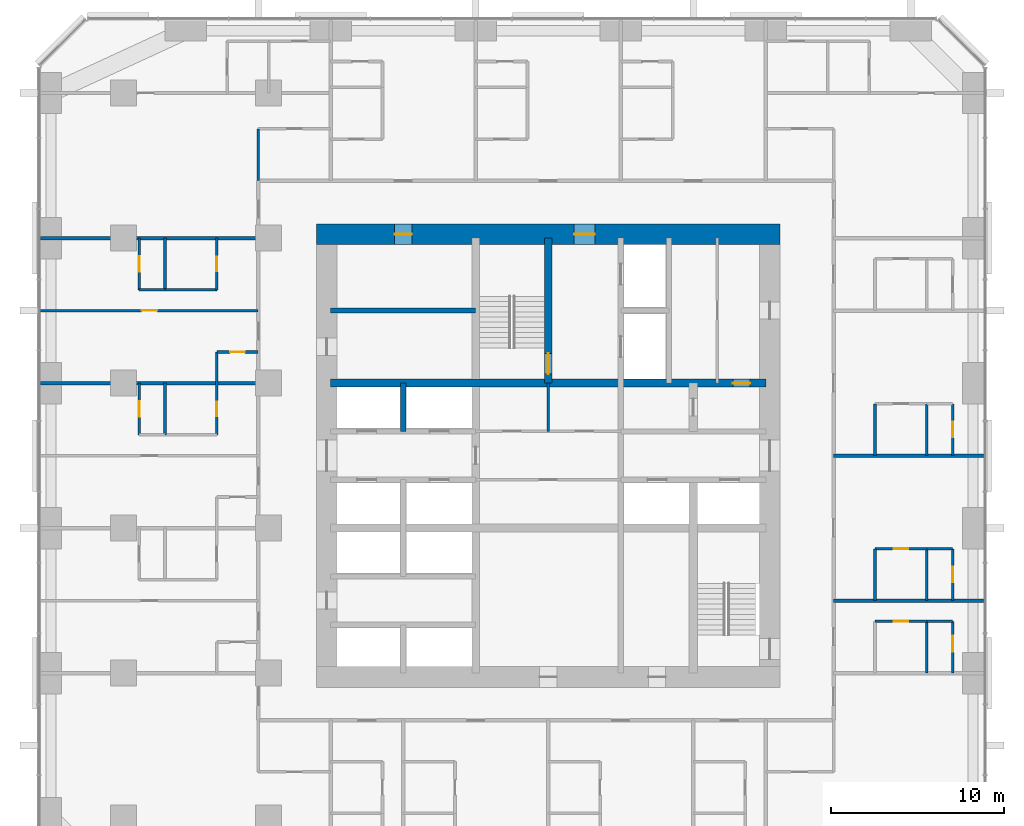
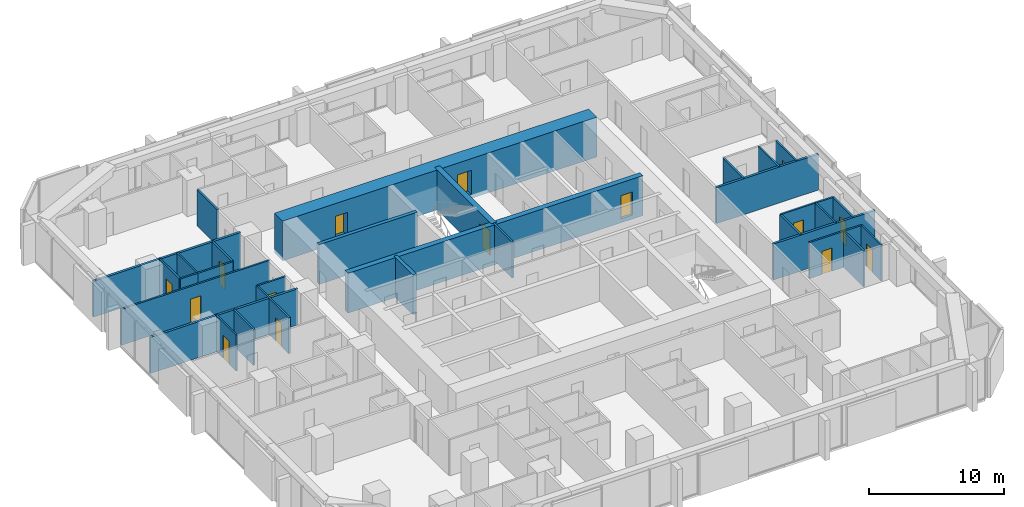
# One storey, part 11 of 14: 33 walls, 15 doors, 15 openings.
"""IFC4 building model written with IfcOpenShell, lengths in metres."""

from ifc_helpers import new_model, si_unit, direction, frame, frame_2d, origin, place, context, subcontext, project, spatial, rectangle, extrude, material, layer, layer_set, type_object, element, fill, save


model = new_model("IFC4")

# Units and contexts
model_context = context("Model", 3, precision=1e-05, world=origin(), true_north=direction((0.0, 1.0)))
body_context = subcontext(model_context, "Body", "Model", "MODEL_VIEW")
ifc_project = project(units=[si_unit("LENGTHUNIT", "METRE"), si_unit("AREAUNIT", "SQUARE_METRE"), si_unit("VOLUMEUNIT", "CUBIC_METRE"), si_unit("PLANEANGLEUNIT", "RADIAN"), si_unit("MASSUNIT", "GRAM", prefix="KILO")], contexts=[model_context])

# Site, building, storey
site_placement = place(None, origin())
site = spatial("IfcSite", under=ifc_project, at=site_placement, CompositionType="ELEMENT")
building_placement = place(site_placement, origin())
building = spatial("IfcBuilding", under=site, at=building_placement, Name="Dunama Terrace Hotel", CompositionType="ELEMENT")
storey_placement = place(building_placement, frame((0.0, 0.0, 108.0)))
storey = spatial("IfcBuildingStorey", under=building, at=storey_placement, Name="L27", CompositionType="ELEMENT", Elevation=108.0)

# Wall, opening, door
ifc_material_1 = material(Name="Gypsum board partition", Category="masonry")
ifc_layer_1 = layer(ifc_material_1, 0.14990234375)
ifc_layer_set_1 = layer_set([ifc_layer_1], Name="Bathroom partition 150")
wall_type_1 = type_object("IfcWallType", Name="Bathroom partition 150", PredefinedType="PARTITIONING", material=ifc_layer_set_1)
wall_1_placement = place(storey_placement, frame((10.199951171875, 30.60009765625, 0.0), z_axis=(0.0, 0.0, 1.0), x_axis=(0.0, 1.0, 0.0)))
wall_1 = element("IfcWall", 1, at=wall_1_placement, inside=storey, type_object=wall_type_1, Name="Bathroom partition 150 L27", PredefinedType="PARTITIONING", context=body_context, shape_type="SweptSolid", body=[
    extrude(rectangle(XDim=4.7998046875, YDim=0.14990234375, at=frame_2d((2.39990234375, 0.0))), origin(), (0.0, 0.0, 1.0), 3.25),
])
opening_1_placement = place(wall_1_placement, frame((1.074951171875, 0.0, 0.0)))
opening_1 = element("IfcOpeningElement", 2, at=opening_1_placement, cuts=wall_1, Name="Opening L25-27-052", PredefinedType="OPENING", context=body_context, shape_type="SweptSolid", body=[
    extrude(rectangle(XDim=0.85009765625, YDim=2.10009765625, at=frame_2d((0.425048828125, 1.050048828125))), frame((0.0, 0.0849609375, 0.0), z_axis=(0.0, -1.0, 0.0), x_axis=(1.0, 0.0, 0.0)), (0.0, 0.0, 1.0), 0.169921875),
])
ifc_material_2 = material(Name="Timber door with steel frame", Category="steel")
door_type_1 = type_object("IfcDoorType", Name="Bathroom door 850", OperationType="SINGLE_SWING_LEFT", PredefinedType="DOOR", material=ifc_material_2)
door_1_placement = place(opening_1_placement, origin())
door_1 = element("IfcDoor", 3, at=door_1_placement, inside=storey, type_object=door_type_1, Name="Door to en-suite bathroom L25-27-052, type D2", OperationType="SINGLE_SWING_RIGHT", OverallHeight=2.10009765625, OverallWidth=0.85009765625, PredefinedType="DOOR", context=body_context, shape_type="SweptSolid", body=[
    extrude(rectangle(XDim=0.85009765625, YDim=2.10009765625, at=frame_2d((0.425048828125, 1.050048828125))), frame((0.0, 0.02490234375, 0.0), z_axis=(0.0, -1.0, 0.0), x_axis=(1.0, 0.0, 0.0)), (0.0, 0.0, 1.0), 0.050048828125),
])
fill(opening_1, door_1)

wall_2_placement = place(storey_placement, frame((10.199951171875, 39.0, 0.0), z_axis=(0.0, 0.0, 1.0), x_axis=(0.0, 1.0, 0.0)))
wall_2 = element("IfcWall", 4, at=wall_2_placement, inside=storey, type_object=wall_type_1, Name="Bathroom partition 150 L27", PredefinedType="PARTITIONING", context=body_context, shape_type="SweptSolid", body=[
    extrude(rectangle(XDim=3.0, YDim=0.14990234375, at=frame_2d((1.5, 0.0))), origin(), (0.0, 0.0, 1.0), 3.25),
])
opening_2_placement = place(wall_2_placement, frame((1.074951171875, 0.0, 0.0)))
opening_2 = element("IfcOpeningElement", 5, at=opening_2_placement, cuts=wall_2, Name="Opening L25-27-057", PredefinedType="OPENING", context=body_context, shape_type="SweptSolid", body=[
    extrude(rectangle(XDim=0.85009765625, YDim=2.10009765625, at=frame_2d((0.425048828125, 1.050048828125))), frame((0.0, 0.0849609375, 0.0), z_axis=(0.0, -1.0, 0.0), x_axis=(1.0, 0.0, 0.0)), (0.0, 0.0, 1.0), 0.169921875),
])
door_2_placement = place(opening_2_placement, origin())
door_2 = element("IfcDoor", 6, at=door_2_placement, inside=storey, type_object=door_type_1, Name="Door to en-suite bathroom L25-27-057, type D2", OperationType="SINGLE_SWING_RIGHT", OverallHeight=2.10009765625, OverallWidth=0.85009765625, PredefinedType="DOOR", context=body_context, shape_type="SweptSolid", body=[
    extrude(rectangle(XDim=0.85009765625, YDim=2.10009765625, at=frame_2d((0.425048828125, 1.050048828125))), frame((0.0, 0.02490234375, 0.0), z_axis=(0.0, -1.0, 0.0), x_axis=(1.0, 0.0, 0.0)), (0.0, 0.0, 1.0), 0.050048828125),
])
fill(opening_2, door_2)

# Walls
for number, where, z_axis, x_axis, name in (
    (7, (12.60009765625, 45.324951171875, 0.0), (0.0, 0.0, 1.0), (0.0, 1.0, 0.0), "Bathroom partition 150 L27"),
    (8, (48.324951171875, 21.0, 0.0), (0.0, 0.0, 1.0), (0.0, 1.0, 0.0), "Bathroom partition 150 L27"),
    (9, (48.324951171875, 29.39990234375, 0.0), (0.0, 0.0, 1.0), (0.0, 1.0, 0.0), "Bathroom partition 150 L27"),
):
    element("IfcWall", number, at=place(storey_placement, frame(where, z_axis=z_axis, x_axis=x_axis)), inside=storey, type_object=wall_type_1, Name=name, PredefinedType="PARTITIONING", context=body_context, shape_type="SweptSolid", body=[
        extrude(rectangle(XDim=3.0, YDim=0.14990234375, at=frame_2d((1.5, 0.0))), origin(), (0.0, 0.0, 1.0), 3.25),
    ])

# Wall, opening, door
wall_3_placement = place(storey_placement, frame((48.324951171875, 19.800048828125, 0.0), z_axis=(0.0, 0.0, 1.0), x_axis=(1.0, 0.0, 0.0)))
wall_3 = element("IfcWall", 10, at=wall_3_placement, inside=storey, type_object=wall_type_1, Name="Bathroom partition 150 L27", PredefinedType="PARTITIONING", context=body_context, shape_type="SweptSolid", body=[
    extrude(rectangle(XDim=3.0, YDim=0.14990234375, at=frame_2d((1.5, 0.0))), origin(), (0.0, 0.0, 1.0), 3.25),
])
opening_3_placement = place(wall_3_placement, frame((1.074951171875, 0.0, 0.0)))
opening_3 = element("IfcOpeningElement", 11, at=opening_3_placement, cuts=wall_3, Name="Opening L25-27-024", PredefinedType="OPENING", context=body_context, shape_type="SweptSolid", body=[
    extrude(rectangle(XDim=0.85009765625, YDim=2.10009765625, at=frame_2d((0.425048828125, 1.050048828125))), frame((0.0, 0.0849609375, 0.0), z_axis=(0.0, -1.0, 0.0), x_axis=(1.0, 0.0, 0.0)), (0.0, 0.0, 1.0), 0.169921875),
])
door_3_placement = place(opening_3_placement, frame((0.85009765625, 0.0, 0.0), z_axis=(0.0, 0.0, 1.0), x_axis=(-1.0, 0.0, 0.0)))
door_3 = element("IfcDoor", 12, at=door_3_placement, inside=storey, type_object=door_type_1, Name="Door to en-suite bathroom L25-27-024, type D2", OperationType="SINGLE_SWING_LEFT", OverallHeight=2.10009765625, OverallWidth=0.85009765625, PredefinedType="DOOR", context=body_context, shape_type="SweptSolid", body=[
    extrude(rectangle(XDim=0.85009765625, YDim=2.10009765625, at=frame_2d((0.425048828125, 1.050048828125))), frame((0.0, 0.025146484375, 0.0), z_axis=(0.0, -1.0, 0.0), x_axis=(1.0, 0.0, 0.0)), (0.0, 0.0, 1.0), 0.050048828125),
])
fill(opening_3, door_3)

wall_4_placement = place(storey_placement, frame((48.324951171875, 24.0, 0.0), z_axis=(0.0, 0.0, 1.0), x_axis=(1.0, 0.0, 0.0)))
wall_4 = element("IfcWall", 13, at=wall_4_placement, inside=storey, type_object=wall_type_1, Name="Bathroom partition 150 L27", PredefinedType="PARTITIONING", context=body_context, shape_type="SweptSolid", body=[
    extrude(rectangle(XDim=3.0, YDim=0.14990234375, at=frame_2d((1.5, 0.0))), origin(), (0.0, 0.0, 1.0), 3.25),
])
opening_4_placement = place(wall_4_placement, frame((1.074951171875, 0.0, 0.0)))
opening_4 = element("IfcOpeningElement", 14, at=opening_4_placement, cuts=wall_4, Name="Opening L25-27-027", PredefinedType="OPENING", context=body_context, shape_type="SweptSolid", body=[
    extrude(rectangle(XDim=0.85009765625, YDim=2.10009765625, at=frame_2d((0.425048828125, 1.050048828125))), frame((0.0, 0.0849609375, 0.0), z_axis=(0.0, -1.0, 0.0), x_axis=(1.0, 0.0, 0.0)), (0.0, 0.0, 1.0), 0.169921875),
])
door_4_placement = place(opening_4_placement, frame((0.85009765625, 0.0, 0.0), z_axis=(0.0, 0.0, 1.0), x_axis=(-1.0, 0.0, 0.0)))
door_4 = element("IfcDoor", 15, at=door_4_placement, inside=storey, type_object=door_type_1, Name="Door to en-suite bathroom L25-27-027, type D2", OperationType="SINGLE_SWING_LEFT", OverallHeight=2.10009765625, OverallWidth=0.85009765625, PredefinedType="DOOR", context=body_context, shape_type="SweptSolid", body=[
    extrude(rectangle(XDim=0.85009765625, YDim=2.10009765625, at=frame_2d((0.425048828125, 1.050048828125))), frame((0.0, 0.025146484375, 0.0), z_axis=(0.0, -1.0, 0.0), x_axis=(1.0, 0.0, 0.0)), (0.0, 0.0, 1.0), 0.050048828125),
])
fill(opening_4, door_4)

wall_5_placement = place(storey_placement, frame((10.199951171875, 35.39990234375, 0.0), z_axis=(0.0, 0.0, 1.0), x_axis=(1.0, 0.0, 0.0)))
wall_5 = element("IfcWall", 16, at=wall_5_placement, inside=storey, type_object=wall_type_1, Name="Bathroom partition 150 L27", PredefinedType="PARTITIONING", context=body_context, shape_type="SweptSolid", body=[
    extrude(rectangle(XDim=2.400146484375, YDim=0.14990234375, at=frame_2d((1.2001953125, 0.0))), origin(), (0.0, 0.0, 1.0), 3.25),
])
opening_5_placement = place(wall_5_placement, frame((0.77490234375, 0.0, 0.0)))
opening_5 = element("IfcOpeningElement", 17, at=opening_5_placement, cuts=wall_5, Name="Opening L25-27-055", PredefinedType="OPENING", context=body_context, shape_type="SweptSolid", body=[
    extrude(rectangle(XDim=0.85009765625, YDim=2.10009765625, at=frame_2d((0.425048828125, 1.050048828125))), frame((0.0, 0.0849609375, 0.0), z_axis=(0.0, -1.0, 0.0), x_axis=(1.0, 0.0, 0.0)), (0.0, 0.0, 1.0), 0.169921875),
])
door_5_placement = place(opening_5_placement, frame((0.85009765625, 0.0, 0.0), z_axis=(0.0, 0.0, 1.0), x_axis=(-1.0, 0.0, 0.0)))
door_5 = element("IfcDoor", 18, at=door_5_placement, inside=storey, type_object=door_type_1, Name="Door to powder room L25-27-055, type D2", OperationType="SINGLE_SWING_LEFT", OverallHeight=2.10009765625, OverallWidth=0.85009765625, PredefinedType="DOOR", context=body_context, shape_type="SweptSolid", body=[
    extrude(rectangle(XDim=0.85009765625, YDim=2.10009765625, at=frame_2d((0.425048828125, 1.050048828125))), frame((0.0, 0.025146484375, 0.0), z_axis=(0.0, -1.0, 0.0), x_axis=(1.0, 0.0, 0.0)), (0.0, 0.0, 1.0), 0.050048828125),
])
fill(opening_5, door_5)

# Walls
wall_6_placement = place(storey_placement, frame((7.199951171875, 39.0, 0.0), z_axis=(0.0, 0.0, 1.0), x_axis=(1.0, 0.0, 0.0)))
element("IfcWall", 19, at=wall_6_placement, inside=storey, type_object=wall_type_1, Name="Bathroom partition 150 L27", PredefinedType="PARTITIONING", context=body_context, shape_type="SweptSolid", body=[
    extrude(rectangle(XDim=3.0, YDim=0.14990234375, at=frame_2d((1.5, 0.0))), origin(), (0.0, 0.0, 1.0), 3.25),
])
ifc_material_3 = material(Name="Concrete C50/60", Category="concrete")
ifc_layer_2 = layer(ifc_material_3, 0.300048828125)
ifc_layer_set_2 = layer_set([ifc_layer_2], Name="Core inner wall 300")
wall_type_2 = type_object("IfcWallType", Name="Core inner wall 300", PredefinedType="SHEAR", material=ifc_layer_set_2)
wall_7_placement = place(storey_placement, frame((21.0, 30.800048828125, -0.35009765625), z_axis=(0.0, 0.0, 1.0), x_axis=(0.0, 1.0, 0.0)))
element("IfcWall", 20, at=wall_7_placement, inside=storey, type_object=wall_type_2, Name="Core inner wall 300 L27", PredefinedType="SHEAR", context=body_context, shape_type="SweptSolid", body=[
    extrude(rectangle(XDim=2.800048828125, YDim=0.300048828125, at=frame_2d((1.39990234375, 0.0))), origin(), (0.0, 0.0, 1.0), 3.60009765625),
])
wall_8_placement = place(storey_placement, frame((16.800048828125, 37.800048828125, -0.35009765625), z_axis=(0.0, 0.0, 1.0), x_axis=(1.0, 0.0, 0.0)))
element("IfcWall", 21, at=wall_8_placement, inside=storey, type_object=wall_type_2, Name="Core inner wall 300 L27", PredefinedType="SHEAR", context=body_context, shape_type="SweptSolid", body=[
    extrude(rectangle(XDim=8.39990234375, YDim=0.300048828125, at=frame_2d((4.199951171875, 0.0))), origin(), (0.0, 0.0, 1.0), 3.60009765625),
])

# Wall, opening, door
ifc_material_4 = material(Name="Concrete C50/60", Category="concrete")
ifc_layer_3 = layer(ifc_material_4, 0.449951171875)
ifc_layer_set_3 = layer_set([ifc_layer_3], Name="Core inner wall 450")
wall_type_3 = type_object("IfcWallType", Name="Core inner wall 450", PredefinedType="SHEAR", material=ifc_layer_set_3)
wall_9_placement = place(storey_placement, frame((29.39990234375, 33.60009765625, -0.35009765625), z_axis=(0.0, 0.0, 1.0), x_axis=(0.0, 1.0, 0.0)))
wall_9 = element("IfcWall", 22, at=wall_9_placement, inside=storey, type_object=wall_type_3, Name="Core inner wall 450 L27", PredefinedType="SHEAR", context=body_context, shape_type="SweptSolid", body=[
    extrude(rectangle(XDim=8.39990234375, YDim=0.449951171875, at=frame_2d((4.199951171875, 0.0))), origin(), (0.0, 0.0, 1.0), 3.60009765625),
])
opening_6_placement = place(wall_9_placement, frame((0.52490234375, 0.0, 0.35009765625)))
opening_6 = element("IfcOpeningElement", 23, at=opening_6_placement, cuts=wall_9, Name="Opening L25-27-001", PredefinedType="OPENING", context=body_context, shape_type="SweptSolid", body=[
    extrude(rectangle(XDim=1.199951171875, YDim=2.199951171875, at=frame_2d((0.60009765625, 1.10009765625))), frame((0.0, 0.23486328125, 0.0), z_axis=(0.0, -1.0, 0.0), x_axis=(1.0, 0.0, 0.0)), (0.0, 0.0, 1.0), 0.469970703125),
])
ifc_material_5 = material(Name="Timber door with steel frame", Category="steel")
door_type_2 = type_object("IfcDoorType", Name="Stair door 1200", OperationType="SINGLE_SWING_LEFT", PredefinedType="DOOR", material=ifc_material_5)
door_6_placement = place(opening_6_placement, origin())
door_6 = element("IfcDoor", 24, at=door_6_placement, inside=storey, type_object=door_type_2, Name="Stair door ST1 L25-27-001, type D5", OperationType="SINGLE_SWING_LEFT", OverallHeight=2.199951171875, OverallWidth=1.199951171875, PredefinedType="DOOR", context=body_context, shape_type="SweptSolid", body=[
    extrude(rectangle(XDim=1.199951171875, YDim=2.199951171875, at=frame_2d((0.60009765625, 1.10009765625))), frame((0.0, 0.02490234375, 0.0), z_axis=(0.0, -1.0, 0.0), x_axis=(1.0, 0.0, 0.0)), (0.0, 0.0, 1.0), 0.050048828125),
])
fill(opening_6, door_6)

wall_10_placement = place(storey_placement, frame((16.800048828125, 33.60009765625, -0.35009765625), z_axis=(0.0, 0.0, 1.0), x_axis=(1.0, 0.0, 0.0)))
wall_10 = element("IfcWall", 25, at=wall_10_placement, inside=storey, type_object=wall_type_3, Name="Core inner wall 450 L27", PredefinedType="SHEAR", context=body_context, shape_type="SweptSolid", body=[
    extrude(rectangle(XDim=25.199951171875, YDim=0.449951171875, at=frame_2d((12.60009765625, 0.0))), origin(), (0.0, 0.0, 1.0), 3.60009765625),
])
opening_7_placement = place(wall_10_placement, frame((23.300048828125, 0.0, 0.35009765625)))
opening_7 = element("IfcOpeningElement", 26, at=opening_7_placement, cuts=wall_10, Name="Opening L25-27-088", PredefinedType="OPENING", context=body_context, shape_type="SweptSolid", body=[
    extrude(rectangle(XDim=1.0, YDim=2.10009765625, at=frame_2d((0.5, 1.050048828125))), frame((0.0, 0.23486328125, 0.0), z_axis=(0.0, -1.0, 0.0), x_axis=(1.0, 0.0, 0.0)), (0.0, 0.0, 1.0), 0.469970703125),
])
ifc_material_6 = material(Name="Timber door with steel frame", Category="steel")
door_type_3 = type_object("IfcDoorType", Name="Service door 1000", OperationType="SINGLE_SWING_LEFT", PredefinedType="DOOR", material=ifc_material_6)
door_7_placement = place(opening_7_placement, frame((1.0, 0.0, 0.0), z_axis=(0.0, 0.0, 1.0), x_axis=(-1.0, 0.0, 0.0)))
door_7 = element("IfcDoor", 27, at=door_7_placement, inside=storey, type_object=door_type_3, Name="Door to housekeeping and linen store L25-27-088, type D7", OperationType="SINGLE_SWING_LEFT", OverallHeight=2.10009765625, OverallWidth=1.0, PredefinedType="DOOR", context=body_context, shape_type="SweptSolid", body=[
    extrude(rectangle(XDim=1.0, YDim=2.10009765625, at=frame_2d((0.5, 1.050048828125))), frame((0.0, 0.025146484375, 0.0), z_axis=(0.0, -1.0, 0.0), x_axis=(1.0, 0.0, 0.0)), (0.0, 0.0, 1.0), 0.050048828125),
])
fill(opening_7, door_7)

# Wall, openings, doors
ifc_material_7 = material(Name="Concrete C60/75", Category="concrete")
ifc_layer_4 = layer(ifc_material_7, 1.199951171875)
ifc_layer_set_4 = layer_set([ifc_layer_4], Name="Core wall 1200")
wall_type_4 = type_object("IfcWallType", Name="Core wall 1200", PredefinedType="SHEAR", material=ifc_layer_set_4)
wall_11_placement = place(storey_placement, frame((42.824951171875, 42.22509765625, -0.35009765625), z_axis=(0.0, 0.0, 1.0), x_axis=(-1.0, 0.0, 0.0)))
wall_11 = element("IfcWall", 28, at=wall_11_placement, inside=storey, type_object=wall_type_4, Name="Core wall north L27", PredefinedType="SHEAR", context=body_context, shape_type="SweptSolid", body=[
    extrude(rectangle(XDim=26.849853515625, YDim=1.199951171875, at=frame_2d((13.4248046875, 0.0))), origin(), (0.0, 0.0, 1.0), 3.60009765625),
])
opening_8_placement = place(wall_11_placement, frame((21.324951171875, 0.0, 0.35009765625)))
opening_8 = element("IfcOpeningElement", 29, at=opening_8_placement, cuts=wall_11, Name="Opening L25-27-082", PredefinedType="OPENING", context=body_context, shape_type="SweptSolid", body=[
    extrude(rectangle(XDim=1.0, YDim=2.10009765625, at=frame_2d((0.5, 1.050048828125))), frame((0.0, 0.60986328125, 0.0), z_axis=(0.0, -1.0, 0.0), x_axis=(1.0, 0.0, 0.0)), (0.0, 0.0, 1.0), 1.219970703125),
])
opening_9_placement = place(wall_11_placement, frame((10.72509765625, 0.0, 0.35009765625)))
opening_9 = element("IfcOpeningElement", 30, at=opening_9_placement, cuts=wall_11, Name="Opening L25-27-090", PredefinedType="OPENING", context=body_context, shape_type="SweptSolid", body=[
    extrude(rectangle(XDim=1.199951171875, YDim=2.199951171875, at=frame_2d((0.60009765625, 1.10009765625))), frame((0.0, 0.60986328125, 0.0), z_axis=(0.0, -1.0, 0.0), x_axis=(1.0, 0.0, 0.0)), (0.0, 0.0, 1.0), 1.219970703125),
])
ifc_material_8 = material(Name="Timber door with steel frame", Category="steel")
door_type_4 = type_object("IfcDoorType", Name="Firefighting lobby door 1200", OperationType="SINGLE_SWING_LEFT", PredefinedType="DOOR", material=ifc_material_8)
door_8_placement = place(opening_9_placement, origin())
door_8 = element("IfcDoor", 31, at=door_8_placement, inside=storey, type_object=door_type_4, Name="Door to firefighting lobby L25-27-090, type D4", OperationType="SINGLE_SWING_RIGHT", OverallHeight=2.199951171875, OverallWidth=1.199951171875, PredefinedType="DOOR", context=body_context, shape_type="SweptSolid", body=[
    extrude(rectangle(XDim=1.199951171875, YDim=2.199951171875, at=frame_2d((0.60009765625, 1.10009765625))), frame((0.0, 0.02490234375, 0.0), z_axis=(0.0, -1.0, 0.0), x_axis=(1.0, 0.0, 0.0)), (0.0, 0.0, 1.0), 0.050048828125),
])
fill(opening_9, door_8)
door_9_placement = place(opening_8_placement, origin())
door_9 = element("IfcDoor", 32, at=door_9_placement, inside=storey, type_object=door_type_3, Name="Door to communications and riser room L25-27-082, type D7", OperationType="SINGLE_SWING_LEFT", OverallHeight=2.10009765625, OverallWidth=1.0, PredefinedType="DOOR", context=body_context, shape_type="SweptSolid", body=[
    extrude(rectangle(XDim=1.0, YDim=2.10009765625, at=frame_2d((0.5, 1.050048828125))), frame((0.0, 0.02490234375, 0.0), z_axis=(0.0, -1.0, 0.0), x_axis=(1.0, 0.0, 0.0)), (0.0, 0.0, 1.0), 0.050048828125),
])
fill(opening_8, door_9)

# Walls
ifc_material_9 = material(Name="Concrete blockwork", Category="masonry")
ifc_layer_5 = layer(ifc_material_9, 0.199951171875)
ifc_layer_set_5 = layer_set([ifc_layer_5], Name="Party wall 200")
wall_type_5 = type_object("IfcWallType", Name="Party wall 200", PredefinedType="PARTITIONING", material=ifc_layer_set_5)
for number, where, z_axis, x_axis, name in (
    (33, (45.925048828125, 21.0, 0.0), (0.0, 0.0, 1.0), (1.0, 0.0, 0.0), "Party wall 200 L27"),
    (34, (45.925048828125, 29.39990234375, 0.0), (0.0, 0.0, 1.0), (1.0, 0.0, 0.0), "Party wall 200 L27"),
):
    element("IfcWall", number, at=place(storey_placement, frame(where, z_axis=z_axis, x_axis=x_axis)), inside=storey, type_object=wall_type_5, Name=name, PredefinedType="PARTITIONING", context=body_context, shape_type="SweptSolid", body=[
        extrude(rectangle(XDim=8.69287109375, YDim=0.199951171875, at=frame_2d((4.346435546875, 0.0))), origin(), (0.0, 0.0, 1.0), 3.25),
    ])
for number, where, z_axis, x_axis, name in (
    (35, (-0.01806640625, 33.60009765625, 0.0), (0.0, 0.0, 1.0), (1.0, 0.0, 0.0), "Party wall 200 L27"),
    (36, (-0.01806640625, 42.0, 0.0), (0.0, 0.0, 1.0), (1.0, 0.0, 0.0), "Party wall 200 L27"),
):
    element("IfcWall", number, at=place(storey_placement, frame(where, z_axis=z_axis, x_axis=x_axis)), inside=storey, type_object=wall_type_5, Name=name, PredefinedType="PARTITIONING", context=body_context, shape_type="SweptSolid", body=[
        extrude(rectangle(XDim=12.6181640625, YDim=0.199951171875, at=frame_2d((6.30908203125, 0.0))), origin(), (0.0, 0.0, 1.0), 3.25),
    ])

# Wall, opening, door
ifc_material_10 = material(Name="Gypsum board partition", Category="masonry")
ifc_layer_6 = layer(ifc_material_10, 0.14990234375)
ifc_layer_set_6 = layer_set([ifc_layer_6], Name="Room partition 150")
wall_type_6 = type_object("IfcWallType", Name="Room partition 150", PredefinedType="PARTITIONING", material=ifc_layer_set_6)
wall_12_placement = place(storey_placement, frame((5.699951171875, 30.60009765625, 0.0), z_axis=(0.0, 0.0, 1.0), x_axis=(0.0, 1.0, 0.0)))
wall_12 = element("IfcWall", 37, at=wall_12_placement, inside=storey, type_object=wall_type_6, Name="Room partition 150 L27", PredefinedType="PARTITIONING", context=body_context, shape_type="SweptSolid", body=[
    extrude(rectangle(XDim=3.0, YDim=0.14990234375, at=frame_2d((1.5, 0.0))), origin(), (0.0, 0.0, 1.0), 3.25),
])
opening_10_placement = place(wall_12_placement, frame((1.050048828125, 0.0, 0.0)))
opening_10 = element("IfcOpeningElement", 38, at=opening_10_placement, cuts=wall_12, Name="Opening L25-27-053", PredefinedType="OPENING", context=body_context, shape_type="SweptSolid", body=[
    extrude(rectangle(XDim=0.89990234375, YDim=2.10009765625, at=frame_2d((0.449951171875, 1.050048828125))), frame((0.0, 0.0849609375, 0.0), z_axis=(0.0, -1.0, 0.0), x_axis=(1.0, 0.0, 0.0)), (0.0, 0.0, 1.0), 0.169921875),
])
ifc_material_11 = material(Name="Timber door with steel frame", Category="steel")
door_type_5 = type_object("IfcDoorType", Name="Suite internal door 900", OperationType="SINGLE_SWING_LEFT", PredefinedType="DOOR", material=ifc_material_11)
door_10_placement = place(opening_10_placement, frame((0.89990234375, 0.0, 0.0), z_axis=(0.0, 0.0, 1.0), x_axis=(-1.0, 0.0, 0.0)))
door_10 = element("IfcDoor", 39, at=door_10_placement, inside=storey, type_object=door_type_5, Name="Door to walk-in wardrobe L25-27-053, type D16", OperationType="SINGLE_SWING_LEFT", OverallHeight=2.10009765625, OverallWidth=0.89990234375, PredefinedType="DOOR", context=body_context, shape_type="SweptSolid", body=[
    extrude(rectangle(XDim=0.89990234375, YDim=2.10009765625, at=frame_2d((0.449951171875, 1.050048828125))), frame((0.0, 0.025146484375, 0.0), z_axis=(0.0, -1.0, 0.0), x_axis=(1.0, 0.0, 0.0)), (0.0, 0.0, 1.0), 0.050048828125),
])
fill(opening_10, door_10)

wall_13_placement = place(storey_placement, frame((5.699951171875, 39.0, 0.0), z_axis=(0.0, 0.0, 1.0), x_axis=(0.0, 1.0, 0.0)))
wall_13 = element("IfcWall", 40, at=wall_13_placement, inside=storey, type_object=wall_type_6, Name="Room partition 150 L27", PredefinedType="PARTITIONING", context=body_context, shape_type="SweptSolid", body=[
    extrude(rectangle(XDim=3.0, YDim=0.14990234375, at=frame_2d((1.5, 0.0))), origin(), (0.0, 0.0, 1.0), 3.25),
])
opening_11_placement = place(wall_13_placement, frame((1.050048828125, 0.0, 0.0)))
opening_11 = element("IfcOpeningElement", 41, at=opening_11_placement, cuts=wall_13, Name="Opening L25-27-058", PredefinedType="OPENING", context=body_context, shape_type="SweptSolid", body=[
    extrude(rectangle(XDim=0.89990234375, YDim=2.10009765625, at=frame_2d((0.449951171875, 1.050048828125))), frame((0.0, 0.0849609375, 0.0), z_axis=(0.0, -1.0, 0.0), x_axis=(1.0, 0.0, 0.0)), (0.0, 0.0, 1.0), 0.169921875),
])
door_11_placement = place(opening_11_placement, frame((0.89990234375, 0.0, 0.0), z_axis=(0.0, 0.0, 1.0), x_axis=(-1.0, 0.0, 0.0)))
door_11 = element("IfcDoor", 42, at=door_11_placement, inside=storey, type_object=door_type_5, Name="Door to walk-in wardrobe L25-27-058, type D16", OperationType="SINGLE_SWING_LEFT", OverallHeight=2.10009765625, OverallWidth=0.89990234375, PredefinedType="DOOR", context=body_context, shape_type="SweptSolid", body=[
    extrude(rectangle(XDim=0.89990234375, YDim=2.10009765625, at=frame_2d((0.449951171875, 1.050048828125))), frame((0.0, 0.025146484375, 0.0), z_axis=(0.0, -1.0, 0.0), x_axis=(1.0, 0.0, 0.0)), (0.0, 0.0, 1.0), 0.050048828125),
])
fill(opening_11, door_11)

# Walls
for number, where, z_axis, x_axis, name in (
    (43, (7.199951171875, 30.60009765625, 0.0), (0.0, 0.0, 1.0), (0.0, 1.0, 0.0), "Room partition 150 L27"),
    (44, (7.199951171875, 39.0, 0.0), (0.0, 0.0, 1.0), (0.0, 1.0, 0.0), "Room partition 150 L27"),
):
    element("IfcWall", number, at=place(storey_placement, frame(where, z_axis=z_axis, x_axis=x_axis)), inside=storey, type_object=wall_type_6, Name=name, PredefinedType="PARTITIONING", context=body_context, shape_type="SweptSolid", body=[
        extrude(rectangle(XDim=3.0, YDim=0.14990234375, at=frame_2d((1.5, 0.0))), origin(), (0.0, 0.0, 1.0), 3.25),
    ])
wall_14_placement = place(storey_placement, frame((29.39990234375, 30.800048828125, 0.0), z_axis=(0.0, 0.0, 1.0), x_axis=(0.0, 1.0, 0.0)))
element("IfcWall", 45, at=wall_14_placement, inside=storey, type_object=wall_type_6, Name="Room partition 150 L27", PredefinedType="PARTITIONING", context=body_context, shape_type="SweptSolid", body=[
    extrude(rectangle(XDim=2.800048828125, YDim=0.14990234375, at=frame_2d((1.39990234375, 0.0))), origin(), (0.0, 0.0, 1.0), 3.25),
])
for number, where, z_axis, x_axis, name in (
    (46, (51.324951171875, 16.800048828125, 0.0), (0.0, 0.0, 1.0), (0.0, 1.0, 0.0), "Room partition 150 L27"),
    (47, (51.324951171875, 21.0, 0.0), (0.0, 0.0, 1.0), (0.0, 1.0, 0.0), "Room partition 150 L27"),
    (48, (51.324951171875, 29.39990234375, 0.0), (0.0, 0.0, 1.0), (0.0, 1.0, 0.0), "Room partition 150 L27"),
):
    element("IfcWall", number, at=place(storey_placement, frame(where, z_axis=z_axis, x_axis=x_axis)), inside=storey, type_object=wall_type_6, Name=name, PredefinedType="PARTITIONING", context=body_context, shape_type="SweptSolid", body=[
        extrude(rectangle(XDim=3.0, YDim=0.14990234375, at=frame_2d((1.5, 0.0))), origin(), (0.0, 0.0, 1.0), 3.25),
    ])

# Wall, opening, door
wall_15_placement = place(storey_placement, frame((52.824951171875, 16.800048828125, 0.0), z_axis=(0.0, 0.0, 1.0), x_axis=(0.0, 1.0, 0.0)))
wall_15 = element("IfcWall", 49, at=wall_15_placement, inside=storey, type_object=wall_type_6, Name="Room partition 150 L27", PredefinedType="PARTITIONING", context=body_context, shape_type="SweptSolid", body=[
    extrude(rectangle(XDim=3.0, YDim=0.14990234375, at=frame_2d((1.5, 0.0))), origin(), (0.0, 0.0, 1.0), 3.25),
])
opening_12_placement = place(wall_15_placement, frame((1.25, 0.0, 0.0)))
opening_12 = element("IfcOpeningElement", 50, at=opening_12_placement, cuts=wall_15, Name="Opening L25-27-025", PredefinedType="OPENING", context=body_context, shape_type="SweptSolid", body=[
    extrude(rectangle(XDim=0.89990234375, YDim=2.10009765625, at=frame_2d((0.449951171875, 1.050048828125))), frame((0.0, 0.0849609375, 0.0), z_axis=(0.0, -1.0, 0.0), x_axis=(1.0, 0.0, 0.0)), (0.0, 0.0, 1.0), 0.169921875),
])
door_12_placement = place(opening_12_placement, origin())
door_12 = element("IfcDoor", 51, at=door_12_placement, inside=storey, type_object=door_type_5, Name="Door to walk-in wardrobe L25-27-025, type D16", OperationType="SINGLE_SWING_LEFT", OverallHeight=2.10009765625, OverallWidth=0.89990234375, PredefinedType="DOOR", context=body_context, shape_type="SweptSolid", body=[
    extrude(rectangle(XDim=0.89990234375, YDim=2.10009765625, at=frame_2d((0.449951171875, 1.050048828125))), frame((0.0, 0.02490234375, 0.0), z_axis=(0.0, -1.0, 0.0), x_axis=(1.0, 0.0, 0.0)), (0.0, 0.0, 1.0), 0.050048828125),
])
fill(opening_12, door_12)

wall_16_placement = place(storey_placement, frame((52.824951171875, 21.0, 0.0), z_axis=(0.0, 0.0, 1.0), x_axis=(0.0, 1.0, 0.0)))
wall_16 = element("IfcWall", 52, at=wall_16_placement, inside=storey, type_object=wall_type_6, Name="Room partition 150 L27", PredefinedType="PARTITIONING", context=body_context, shape_type="SweptSolid", body=[
    extrude(rectangle(XDim=3.0, YDim=0.14990234375, at=frame_2d((1.5, 0.0))), origin(), (0.0, 0.0, 1.0), 3.25),
])
opening_13_placement = place(wall_16_placement, frame((1.050048828125, 0.0, 0.0)))
opening_13 = element("IfcOpeningElement", 53, at=opening_13_placement, cuts=wall_16, Name="Opening L25-27-028", PredefinedType="OPENING", context=body_context, shape_type="SweptSolid", body=[
    extrude(rectangle(XDim=0.89990234375, YDim=2.10009765625, at=frame_2d((0.449951171875, 1.050048828125))), frame((0.0, 0.0849609375, 0.0), z_axis=(0.0, -1.0, 0.0), x_axis=(1.0, 0.0, 0.0)), (0.0, 0.0, 1.0), 0.169921875),
])
door_13_placement = place(opening_13_placement, origin())
door_13 = element("IfcDoor", 54, at=door_13_placement, inside=storey, type_object=door_type_5, Name="Door to walk-in wardrobe L25-27-028, type D16", OperationType="SINGLE_SWING_LEFT", OverallHeight=2.10009765625, OverallWidth=0.89990234375, PredefinedType="DOOR", context=body_context, shape_type="SweptSolid", body=[
    extrude(rectangle(XDim=0.89990234375, YDim=2.10009765625, at=frame_2d((0.449951171875, 1.050048828125))), frame((0.0, 0.02490234375, 0.0), z_axis=(0.0, -1.0, 0.0), x_axis=(1.0, 0.0, 0.0)), (0.0, 0.0, 1.0), 0.050048828125),
])
fill(opening_13, door_13)

wall_17_placement = place(storey_placement, frame((52.824951171875, 29.39990234375, 0.0), z_axis=(0.0, 0.0, 1.0), x_axis=(0.0, 1.0, 0.0)))
wall_17 = element("IfcWall", 55, at=wall_17_placement, inside=storey, type_object=wall_type_6, Name="Room partition 150 L27", PredefinedType="PARTITIONING", context=body_context, shape_type="SweptSolid", body=[
    extrude(rectangle(XDim=3.0, YDim=0.14990234375, at=frame_2d((1.5, 0.0))), origin(), (0.0, 0.0, 1.0), 3.25),
])
opening_14_placement = place(wall_17_placement, frame((1.050048828125, 0.0, 0.0)))
opening_14 = element("IfcOpeningElement", 56, at=opening_14_placement, cuts=wall_17, Name="Opening L25-27-031", PredefinedType="OPENING", context=body_context, shape_type="SweptSolid", body=[
    extrude(rectangle(XDim=0.89990234375, YDim=2.10009765625, at=frame_2d((0.449951171875, 1.050048828125))), frame((0.0, 0.0849609375, 0.0), z_axis=(0.0, -1.0, 0.0), x_axis=(1.0, 0.0, 0.0)), (0.0, 0.0, 1.0), 0.169921875),
])
door_14_placement = place(opening_14_placement, origin())
door_14 = element("IfcDoor", 57, at=door_14_placement, inside=storey, type_object=door_type_5, Name="Door to walk-in wardrobe L25-27-031, type D16", OperationType="SINGLE_SWING_LEFT", OverallHeight=2.10009765625, OverallWidth=0.89990234375, PredefinedType="DOOR", context=body_context, shape_type="SweptSolid", body=[
    extrude(rectangle(XDim=0.89990234375, YDim=2.10009765625, at=frame_2d((0.449951171875, 1.050048828125))), frame((0.0, 0.02490234375, 0.0), z_axis=(0.0, -1.0, 0.0), x_axis=(1.0, 0.0, 0.0)), (0.0, 0.0, 1.0), 0.050048828125),
])
fill(opening_14, door_14)

# Walls
for number, where, z_axis, x_axis, name in (
    (58, (51.324951171875, 19.800048828125, 0.0), (0.0, 0.0, 1.0), (1.0, 0.0, 0.0), "Room partition 150 L27"),
    (59, (51.324951171875, 24.0, 0.0), (0.0, 0.0, 1.0), (1.0, 0.0, 0.0), "Room partition 150 L27"),
):
    element("IfcWall", number, at=place(storey_placement, frame(where, z_axis=z_axis, x_axis=x_axis)), inside=storey, type_object=wall_type_6, Name=name, PredefinedType="PARTITIONING", context=body_context, shape_type="SweptSolid", body=[
        extrude(rectangle(XDim=1.5, YDim=0.14990234375, at=frame_2d((0.75, 0.0))), origin(), (0.0, 0.0, 1.0), 3.25),
    ])

# Wall, opening, door
wall_18_placement = place(storey_placement, frame((-0.01806640625, 37.800048828125, 0.0), z_axis=(0.0, 0.0, 1.0), x_axis=(1.0, 0.0, 0.0)))
wall_18 = element("IfcWall", 60, at=wall_18_placement, inside=storey, type_object=wall_type_6, Name="Room partition 150 L27", PredefinedType="PARTITIONING", context=body_context, shape_type="SweptSolid", body=[
    extrude(rectangle(XDim=12.6181640625, YDim=0.14990234375, at=frame_2d((6.30908203125, 0.0))), origin(), (0.0, 0.0, 1.0), 3.25),
])
opening_15_placement = place(wall_18_placement, frame((5.867919921875, 0.0, 0.0)))
opening_15 = element("IfcOpeningElement", 61, at=opening_15_placement, cuts=wall_18, Name="Opening L25-27-056", PredefinedType="OPENING", context=body_context, shape_type="SweptSolid", body=[
    extrude(rectangle(XDim=0.89990234375, YDim=2.10009765625, at=frame_2d((0.449951171875, 1.050048828125))), frame((0.0, 0.0849609375, 0.0), z_axis=(0.0, -1.0, 0.0), x_axis=(1.0, 0.0, 0.0)), (0.0, 0.0, 1.0), 0.169921875),
])
door_15_placement = place(opening_15_placement, origin())
door_15 = element("IfcDoor", 62, at=door_15_placement, inside=storey, type_object=door_type_5, Name="Door to premier suite bedroom L25-27-056, type D16", OperationType="SINGLE_SWING_LEFT", OverallHeight=2.10009765625, OverallWidth=0.89990234375, PredefinedType="DOOR", context=body_context, shape_type="SweptSolid", body=[
    extrude(rectangle(XDim=0.89990234375, YDim=2.10009765625, at=frame_2d((0.449951171875, 1.050048828125))), frame((0.0, 0.02490234375, 0.0), z_axis=(0.0, -1.0, 0.0), x_axis=(1.0, 0.0, 0.0)), (0.0, 0.0, 1.0), 0.050048828125),
])
fill(opening_15, door_15)

# Wall
wall_19_placement = place(storey_placement, frame((5.699951171875, 39.0, 0.0), z_axis=(0.0, 0.0, 1.0), x_axis=(1.0, 0.0, 0.0)))
element("IfcWall", 63, at=wall_19_placement, inside=storey, type_object=wall_type_6, Name="Room partition 150 L27", PredefinedType="PARTITIONING", context=body_context, shape_type="SweptSolid", body=[
    extrude(rectangle(XDim=1.5, YDim=0.14990234375, at=frame_2d((0.75, 0.0))), origin(), (0.0, 0.0, 1.0), 3.25),
])

save(model, "model.ifc")
